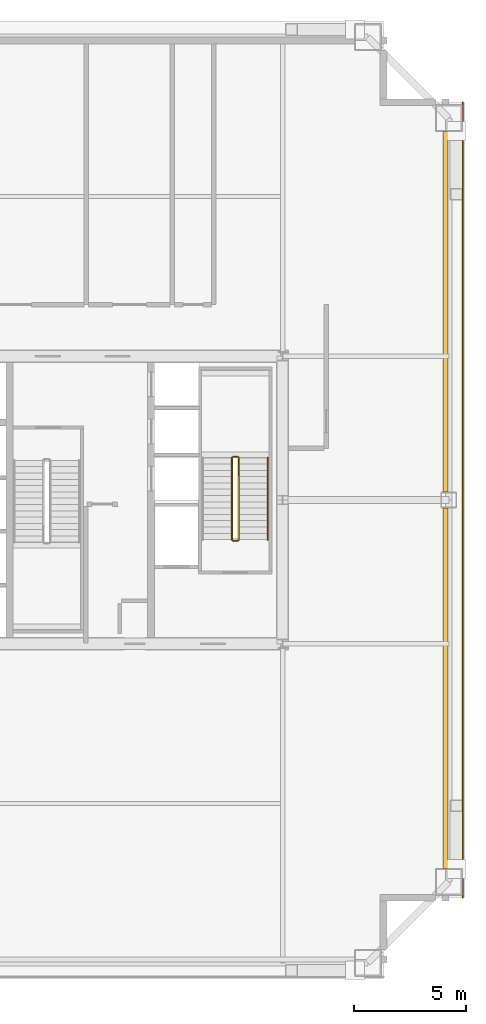
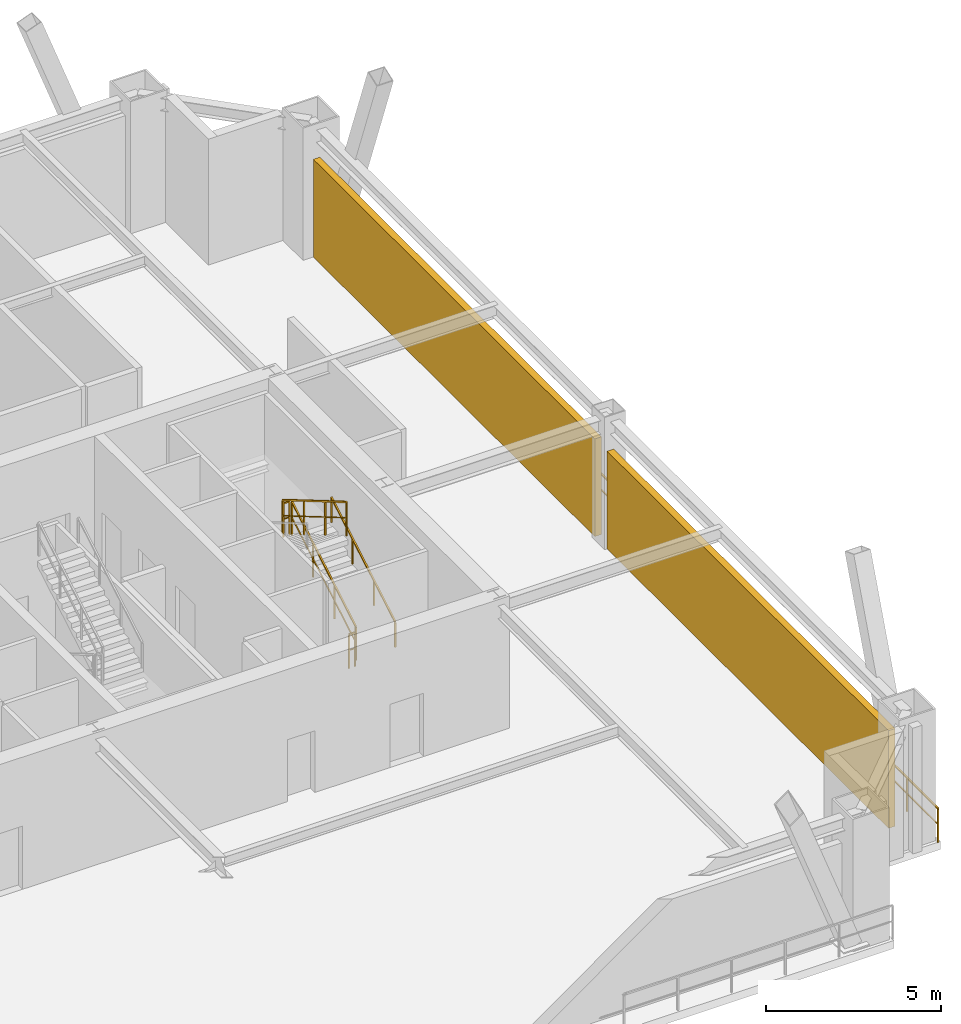
# One storey, part 8 of 8: 6 railings, 2 shading devices.
"""IFC4 building model written with IfcOpenShell, lengths in metres."""

from ifc_helpers import new_model, si_unit, direction, frame, origin, origin_2d, place, context, subcontext, project, spatial, rectangle, extrude, source, transform, mapped, material, layer, layer_set, type_object, element, save


model = new_model("IFC4")

# Units and contexts
model_context = context("Model", 3, precision=1e-05, world=origin(), true_north=direction((0.0, 1.0)))
body_context = subcontext(model_context, "Body", "Model", "MODEL_VIEW")
ifc_project = project(units=[si_unit("LENGTHUNIT", "METRE"), si_unit("AREAUNIT", "SQUARE_METRE"), si_unit("VOLUMEUNIT", "CUBIC_METRE"), si_unit("PLANEANGLEUNIT", "RADIAN"), si_unit("MASSUNIT", "GRAM", prefix="KILO"), si_unit("THERMODYNAMICTEMPERATUREUNIT", "KELVIN"), si_unit("POWERUNIT", "WATT")], contexts=[model_context])

# Site, building, storey
site_placement = place(None, origin())
site = spatial("IfcSite", under=ifc_project, at=site_placement, CompositionType="ELEMENT")
building_placement = place(site_placement, origin())
building = spatial("IfcBuilding", under=site, at=building_placement, Name="Yuzanri Waterfront Tower", CompositionType="ELEMENT")
storey_placement = place(building_placement, frame((0.0, 0.0, 263.5)))
storey = spatial("IfcBuildingStorey", under=building, at=storey_placement, Name="L70", CompositionType="ELEMENT", Elevation=263.5)

# Shading devices
ifc_material_1 = material(Name="Anodized Architectural Bronze", Category="metal")
ifc_layer_1 = layer(ifc_material_1, 0.219970703125)
ifc_layer_set_1 = layer_set([ifc_layer_1], Name="Anodized Architectural Bronze")
shading_device_type = type_object("IfcShadingDeviceType", Name="Anodized Bronze Refuge Wind-Diffusing Louvre Screen 220", PredefinedType="USERDEFINED", material=ifc_layer_set_1)
shared_shape_1 = source(origin(), body_context, "Body", "SweptSolid", [
    extrude(rectangle(XDim=0.219970703125, YDim=16.050048828125, at=origin_2d()), origin(), (0.0, 0.0, 1.0), 3.39990234375),
])
for number, where, z_axis, x_axis, name in (
    (1, (57.449951171875, 17.425048828125, 0.0), (0.0, 0.0, 1.0), (1.0, 0.0, 0.0), "L70 Wind-Diffusing Refuge Louvre EL"),
    (2, (57.449951171875, 34.175048828125, 0.0), (0.0, 0.0, 1.0), (1.0, 0.0, 0.0), "L70 Wind-Diffusing Refuge Louvre ER"),
):
    element("IfcShadingDevice", number, at=place(storey_placement, frame(where, z_axis=z_axis, x_axis=x_axis)), inside=storey, type_object=shading_device_type, Name=name, ObjectType="LOUVRE", PredefinedType="USERDEFINED", context=body_context, shape_type="MappedRepresentation", body=[
        mapped(shared_shape_1, transform((0.0, 0.0, 0.0), scale=1.0)),
    ])

# Railings
ifc_material_2 = material(Name="Anodized Architectural Bronze", Category="metal")
ifc_layer_2 = layer(ifc_material_2, 0.080078125)
ifc_layer_set_2 = layer_set([ifc_layer_2], Name="Anodized Architectural Bronze")
railing_type_1 = type_object("IfcRailingType", Name="Laminated Glass and Bronze Balcony Guardrail 1200", PredefinedType="BALUSTRADE", material=ifc_layer_set_2)
shared_shape_2 = source(origin(), body_context, "Body", "SweptSolid", [
    extrude(rectangle(XDim=0.050048828125, YDim=0.050048828125, at=origin_2d()), frame((0.0, 0.0, 1.1748046875), z_axis=(0.0, 1.0, 0.0), x_axis=(-1.0, 0.0, 0.0)), (0.0, 0.0, 1.0), 35.39990234375),
    extrude(rectangle(XDim=0.035888671875, YDim=0.030029296875, at=origin_2d()), frame((0.0, 0.0, 0.6240234375), z_axis=(0.0, 1.0, 0.0), x_axis=(-1.0, 0.0, 0.0)), (0.0, 0.0, 1.0), 35.39990234375),
    extrude(rectangle(XDim=0.0458984375, YDim=0.0458984375, at=origin_2d()), origin(), (0.0, 0.0, 1.0), 1.14990234375),
    extrude(rectangle(XDim=0.0458984375, YDim=0.0458984375, at=origin_2d()), frame((0.0, 1.77001953125, 0.0)), (0.0, 0.0, 1.0), 1.14990234375),
    extrude(rectangle(XDim=0.0458984375, YDim=0.0458984375, at=origin_2d()), frame((0.0, 3.5400390625, 0.0)), (0.0, 0.0, 1.0), 1.14990234375),
    extrude(rectangle(XDim=0.0458984375, YDim=0.0458984375, at=origin_2d()), frame((0.0, 5.31005859375, 0.0)), (0.0, 0.0, 1.0), 1.14990234375),
    extrude(rectangle(XDim=0.0458984375, YDim=0.0458984375, at=origin_2d()), frame((0.0, 7.080078125, 0.0)), (0.0, 0.0, 1.0), 1.14990234375),
    extrude(rectangle(XDim=0.0458984375, YDim=0.0458984375, at=origin_2d()), frame((0.0, 8.85009765625, 0.0)), (0.0, 0.0, 1.0), 1.14990234375),
    extrude(rectangle(XDim=0.0458984375, YDim=0.0458984375, at=origin_2d()), frame((0.0, 10.619873046875, 0.0)), (0.0, 0.0, 1.0), 1.14990234375),
    extrude(rectangle(XDim=0.0458984375, YDim=0.0458984375, at=origin_2d()), frame((0.0, 12.389892578125, 0.0)), (0.0, 0.0, 1.0), 1.14990234375),
    extrude(rectangle(XDim=0.0458984375, YDim=0.0458984375, at=origin_2d()), frame((0.0, 14.159912109375, 0.0)), (0.0, 0.0, 1.0), 1.14990234375),
    extrude(rectangle(XDim=0.0458984375, YDim=0.0458984375, at=origin_2d()), frame((0.0, 15.929931640625, 0.0)), (0.0, 0.0, 1.0), 1.14990234375),
    extrude(rectangle(XDim=0.0458984375, YDim=0.0458984375, at=origin_2d()), frame((0.0, 17.699951171875, 0.0)), (0.0, 0.0, 1.0), 1.14990234375),
    extrude(rectangle(XDim=0.0458984375, YDim=0.0458984375, at=origin_2d()), frame((0.0, 19.469970703125, 0.0)), (0.0, 0.0, 1.0), 1.14990234375),
    extrude(rectangle(XDim=0.0458984375, YDim=0.0458984375, at=origin_2d()), frame((0.0, 21.239990234375, 0.0)), (0.0, 0.0, 1.0), 1.14990234375),
    extrude(rectangle(XDim=0.0458984375, YDim=0.0458984375, at=origin_2d()), frame((0.0, 23.010009765625, 0.0)), (0.0, 0.0, 1.0), 1.14990234375),
    extrude(rectangle(XDim=0.0458984375, YDim=0.0458984375, at=origin_2d()), frame((0.0, 24.780029296875, 0.0)), (0.0, 0.0, 1.0), 1.14990234375),
    extrude(rectangle(XDim=0.0458984375, YDim=0.0458984375, at=origin_2d()), frame((0.0, 26.5498046875, 0.0)), (0.0, 0.0, 1.0), 1.14990234375),
    extrude(rectangle(XDim=0.0458984375, YDim=0.0458984375, at=origin_2d()), frame((0.0, 28.31982421875, 0.0)), (0.0, 0.0, 1.0), 1.14990234375),
    extrude(rectangle(XDim=0.0458984375, YDim=0.0458984375, at=origin_2d()), frame((0.0, 30.08984375, 0.0)), (0.0, 0.0, 1.0), 1.14990234375),
    extrude(rectangle(XDim=0.0458984375, YDim=0.0458984375, at=origin_2d()), frame((0.0, 31.85986328125, 0.0)), (0.0, 0.0, 1.0), 1.14990234375),
    extrude(rectangle(XDim=0.0458984375, YDim=0.0458984375, at=origin_2d()), frame((0.0, 33.6298828125, 0.0)), (0.0, 0.0, 1.0), 1.14990234375),
    extrude(rectangle(XDim=0.0458984375, YDim=0.0458984375, at=origin_2d()), frame((0.0, 35.39990234375, 0.0)), (0.0, 0.0, 1.0), 1.14990234375),
])
railing_1_placement = place(storey_placement, frame((58.219970703125, 8.10009765625, 0.0)))
element("IfcRailing", 3, at=railing_1_placement, inside=storey, type_object=railing_type_1, Name="L70 East Refuge Edge Guard", PredefinedType="BALUSTRADE", context=body_context, shape_type="MappedRepresentation", body=[
    mapped(shared_shape_2, transform((0.0, 0.0, 0.0), scale=1.0)),
])
ifc_material_3 = material(Name="Painted Galvanized Fire Steel", Category="steel")
ifc_layer_3 = layer(ifc_material_3, 0.06005859375)
ifc_layer_set_3 = layer_set([ifc_layer_3], Name="Painted Galvanized Fire Steel")
railing_type_2 = type_object("IfcRailingType", Name="Painted Steel Stairwell Guardrail 1120", PredefinedType="GUARDRAIL", material=ifc_layer_set_3)
shared_shape_3 = source(origin(), body_context, "Body", "SweptSolid", [
    extrude(rectangle(XDim=0.050048828125, YDim=0.050048828125, at=origin_2d()), frame((0.0, 0.0, 1.1748046875), z_axis=(-1.0, 0.0, 0.0), x_axis=(0.0, -1.0, 0.0)), (0.0, 0.0, 1.0), 0.199951171875),
    extrude(rectangle(XDim=0.035888671875, YDim=0.030029296875, at=origin_2d()), frame((0.0, 0.0, 0.6240234375), z_axis=(-1.0, 0.0, 0.0), x_axis=(0.0, -1.0, 0.0)), (0.0, 0.0, 1.0), 0.199951171875),
    extrude(rectangle(XDim=0.0458984375, YDim=0.0458984375, at=origin_2d()), origin(), (0.0, 0.0, 1.0), 1.14990234375),
    extrude(rectangle(XDim=0.0458984375, YDim=0.0458984375, at=origin_2d()), frame((-0.199951171875, 0.0, 0.0)), (0.0, 0.0, 1.0), 1.14990234375),
])
for number, where, name in (
    (4, (48.199951171875, 27.72998046875, 2.300048828125), "L70 ST-02 stair guard 2"),
    (5, (48.199951171875, 23.989990234375, 0.0), "L70 ST-02 stair guard 4"),
):
    element("IfcRailing", number, at=place(storey_placement, frame(where)), inside=storey, type_object=railing_type_2, Name=name, PredefinedType="GUARDRAIL", context=body_context, shape_type="MappedRepresentation", body=[
        mapped(shared_shape_3, transform((0.0, 0.0, 0.0), scale=1.0)),
    ])
shared_shape_4 = source(origin(), body_context, "Body", "SweptSolid", [
    extrude(rectangle(XDim=0.050048828125, YDim=0.050048828125, at=origin_2d()), frame((0.0, 0.0, 1.1748046875), z_axis=(0.0, 0.862489892076, 0.506074289079), x_axis=(-1.0, 0.0, 0.0)), (0.0, 0.0, 1.0), 4.22021484375),
    extrude(rectangle(XDim=0.035888671875, YDim=0.030029296875, at=origin_2d()), frame((0.0, 0.0, 0.6240234375), z_axis=(0.0, 0.862489892076, 0.506074289079), x_axis=(-1.0, 0.0, 0.0)), (0.0, 0.0, 1.0), 4.22021484375),
    extrude(rectangle(XDim=0.0458984375, YDim=0.0458984375, at=origin_2d()), origin(), (0.0, 0.0, 1.0), 1.14990234375),
    extrude(rectangle(XDim=0.0458984375, YDim=0.0458984375, at=origin_2d()), frame((0.0, 1.21337890625, 0.7119140625)), (0.0, 0.0, 1.0), 1.14990234375),
    extrude(rectangle(XDim=0.0458984375, YDim=0.0458984375, at=origin_2d()), frame((0.0, 2.426513671875, 1.423828125)), (0.0, 0.0, 1.0), 1.14990234375),
    extrude(rectangle(XDim=0.0458984375, YDim=0.0458984375, at=origin_2d()), frame((0.0, 3.639892578125, 2.1357421875)), (0.0, 0.0, 1.0), 1.14990234375),
])
railing_2_placement = place(storey_placement, frame((48.25, 24.0400390625, 0.164306640625)))
element("IfcRailing", 6, at=railing_2_placement, inside=storey, type_object=railing_type_2, Name="L70 ST-02 stair guard 1", PredefinedType="GUARDRAIL", context=body_context, shape_type="MappedRepresentation", body=[
    mapped(shared_shape_4, transform((0.0, 0.0, 0.0), scale=1.0)),
])
shared_shape_5 = source(origin(), body_context, "Body", "SweptSolid", [
    extrude(rectangle(XDim=0.050048828125, YDim=0.050048828125, at=origin_2d()), frame((0.0, 0.0, 1.1748046875), z_axis=(0.0, -0.862489892076, 0.506074289079), x_axis=(1.0, 0.0, 0.0)), (0.0, 0.0, 1.0), 4.22021484375),
    extrude(rectangle(XDim=0.035888671875, YDim=0.030029296875, at=origin_2d()), frame((0.0, 0.0, 0.6240234375), z_axis=(0.0, -0.862489892076, 0.506074289079), x_axis=(1.0, 0.0, 0.0)), (0.0, 0.0, 1.0), 4.22021484375),
    extrude(rectangle(XDim=0.0458984375, YDim=0.0458984375, at=origin_2d()), origin(), (0.0, 0.0, 1.0), 1.14990234375),
    extrude(rectangle(XDim=0.0458984375, YDim=0.0458984375, at=origin_2d()), frame((0.0, -1.21337890625, 0.7119140625)), (0.0, 0.0, 1.0), 1.14990234375),
    extrude(rectangle(XDim=0.0458984375, YDim=0.0458984375, at=origin_2d()), frame((0.0, -2.426513671875, 1.423828125)), (0.0, 0.0, 1.0), 1.14990234375),
    extrude(rectangle(XDim=0.0458984375, YDim=0.0458984375, at=origin_2d()), frame((0.0, -3.639892578125, 2.1357421875)), (0.0, 0.0, 1.0), 1.14990234375),
])
railing_3_placement = place(storey_placement, frame((47.949951171875, 27.679931640625, 2.46435546875)))
element("IfcRailing", 7, at=railing_3_placement, inside=storey, type_object=railing_type_2, Name="L70 ST-02 stair guard 3", PredefinedType="GUARDRAIL", context=body_context, shape_type="MappedRepresentation", body=[
    mapped(shared_shape_5, transform((0.0, 0.0, 0.0), scale=1.0)),
])
ifc_material_4 = material(Name="Anodized Architectural Bronze", Category="metal")
ifc_layer_4 = layer(ifc_material_4, 0.050048828125)
ifc_layer_set_4 = layer_set([ifc_layer_4], Name="Anodized Architectural Bronze")
railing_type_3 = type_object("IfcRailingType", Name="Brushed Bronze Stair Pitch Handrail 920", PredefinedType="HANDRAIL", material=ifc_layer_set_4)
shared_shape_6 = source(origin(), body_context, "Body", "SweptSolid", [
    extrude(rectangle(XDim=0.050048828125, YDim=0.050048828125, at=origin_2d()), frame((0.0, 0.0, 0.875), z_axis=(0.0, 0.862489892076, 0.506074289079), x_axis=(-1.0, 0.0, 0.0)), (0.0, 0.0, 1.0), 4.22021484375),
    extrude(rectangle(XDim=0.0458984375, YDim=0.0458984375, at=origin_2d()), origin(), (0.0, 0.0, 1.0), 0.849853515625),
    extrude(rectangle(XDim=0.0458984375, YDim=0.0458984375, at=origin_2d()), frame((0.0, 1.21337890625, 0.7119140625)), (0.0, 0.0, 1.0), 0.849853515625),
    extrude(rectangle(XDim=0.0458984375, YDim=0.0458984375, at=origin_2d()), frame((0.0, 2.426513671875, 1.423828125)), (0.0, 0.0, 1.0), 0.849853515625),
    extrude(rectangle(XDim=0.0458984375, YDim=0.0458984375, at=origin_2d()), frame((0.0, 3.639892578125, 2.1357421875)), (0.0, 0.0, 1.0), 0.849853515625),
])
railing_4_placement = place(storey_placement, frame((49.550048828125, 24.0400390625, 0.164306640625)))
element("IfcRailing", 8, at=railing_4_placement, inside=storey, type_object=railing_type_3, Name="L70 ST-02 stair handrail 1", PredefinedType="HANDRAIL", context=body_context, shape_type="MappedRepresentation", body=[
    mapped(shared_shape_6, transform((0.0, 0.0, 0.0), scale=1.0)),
])

save(model, "model.ifc")
